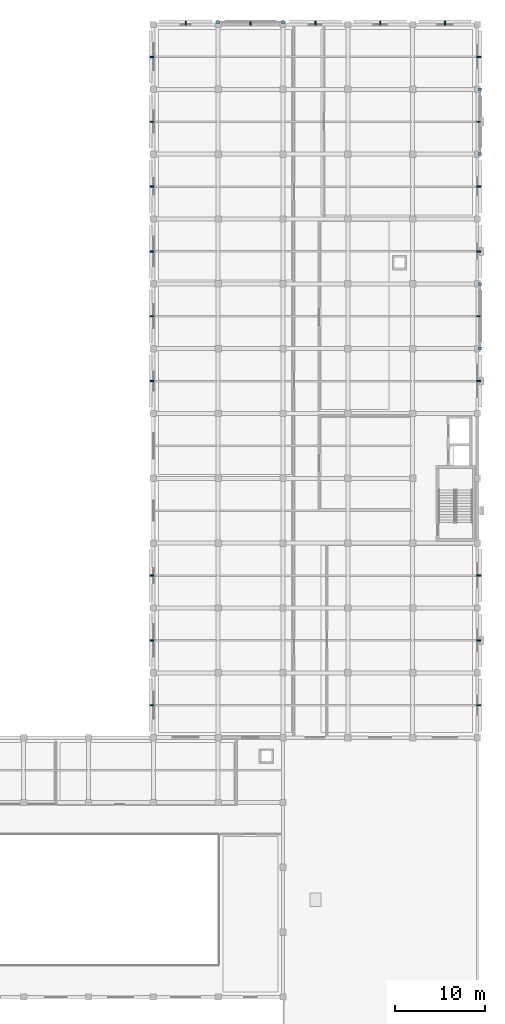
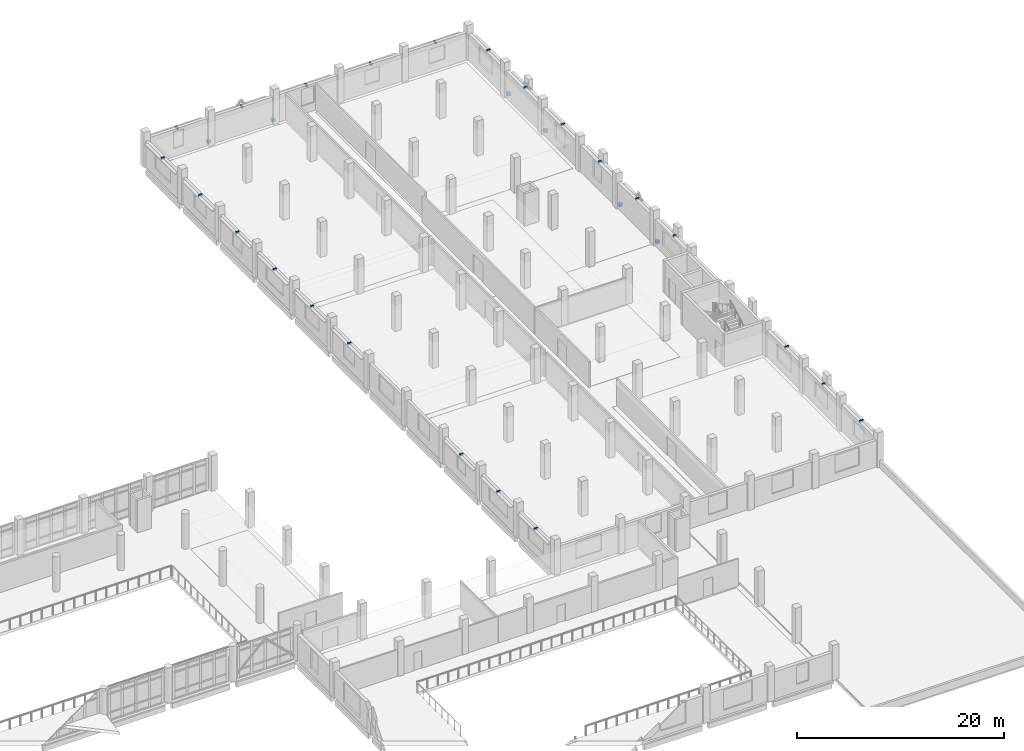
# One storey, part 46 of 57: 29 discrete accessories.
"""IFC4 building model written with IfcOpenShell, lengths in metres."""

import ifcopenshell
import ifcopenshell.guid

model = None  # the IFC model being written
_history = None  # IfcOwnerHistory: only IFC2X3 demands one
_inside = {}  # id of a spatial element -> (the spatial element, [elements in it])
_under = {}  # id of a project, library or spatial element -> (it, [spatial elements below it])
_declared = {}  # id of a project -> (the project, [libraries it declares])
_typed = {}  # id of a type object -> (the type object, [elements of that type])
_made_of = {}  # id of a material, layer set ... -> (it, [elements and type objects made of it])


def new_model(schema):
    """Start an empty IFC model of exactly this schema.

    Asked for "IFC4X3", IfcOpenShell would pick the latest addendum, in which some entities
    have other attributes; the version numbers below select the first issue.
    IFC2X3 requires an IfcOwnerHistory on every rooted entity: one is made here for all.
    """
    global model, _history
    if schema == "IFC4X3":
        model = ifcopenshell.file(schema_version=(4, 3, 0, 0))
    else:
        model = ifcopenshell.file(schema=schema)
    _inside.clear()
    _under.clear()
    _declared.clear()
    _typed.clear()
    _made_of.clear()
    _history = None
    if model.schema == "IFC2X3":
        org = make("IfcOrganization", Name="unknown")
        user = make(
            "IfcPersonAndOrganization",
            ThePerson=make("IfcPerson", FamilyName="unknown"),
            TheOrganization=org,
        )
        app = make(
            "IfcApplication",
            ApplicationDeveloper=org,
            Version="unknown",
            ApplicationFullName="unknown",
            ApplicationIdentifier="unknown",
        )
        _history = make(
            "IfcOwnerHistory",
            OwningUser=user,
            OwningApplication=app,
            ChangeAction="ADDED",
            CreationDate=0,
        )
    return model


def make(cls, **values):
    """One entity of the class cls with the attributes given. An attribute that is None is left unset."""
    return model.create_entity(
        cls, **{name: value for name, value in values.items() if value is not None}
    )


def rooted(cls, **values):
    """An entity with a GlobalId (a new one), such as an element, a storey or a relation."""
    return make(cls, GlobalId=ifcopenshell.guid.new(), OwnerHistory=_history, **values)


def si_unit(unit_type, name, prefix=None):
    """IfcSIUnit, for example si_unit("LENGTHUNIT", "METRE", prefix="MILLI")."""
    return make("IfcSIUnit", UnitType=unit_type, Prefix=prefix, Name=name)


def assignment(units):
    """IfcUnitAssignment: the units of a project."""
    return None if units is None else make("IfcUnitAssignment", Units=units)


def point(xyz):
    """IfcCartesianPoint."""
    return None if xyz is None else make("IfcCartesianPoint", Coordinates=xyz)


def direction(xyz):
    """IfcDirection."""
    return None if xyz is None else make("IfcDirection", DirectionRatios=xyz)


def frame(location, z_axis=None, x_axis=None):
    """IfcAxis2Placement3D, a coordinate frame: its origin and axes. An axis left out is left unset."""
    return make(
        "IfcAxis2Placement3D",
        Location=point(location),
        Axis=direction(z_axis),
        RefDirection=direction(x_axis),
    )


def frame_2d(location, x_axis=None):
    """IfcAxis2Placement2D, a coordinate frame in the plane: its origin and x axis."""
    return make(
        "IfcAxis2Placement2D", Location=point(location), RefDirection=direction(x_axis)
    )


def origin():
    """The frame at (0, 0, 0) with its axes left unset."""
    return frame((0.0, 0.0, 0.0))


def origin_2d():
    """The frame at (0, 0) in the plane with its x axis left unset."""
    return frame_2d((0.0, 0.0))


def place(relative_to, where):
    """IfcLocalPlacement: puts the frame where relative to a parent placement (None: the world)."""
    return make(
        "IfcLocalPlacement", PlacementRelTo=relative_to, RelativePlacement=where
    )


def context(
    kind, dimensions, precision=None, world=None, true_north=None, identifier=None
):
    """IfcGeometricRepresentationContext, for example the 3D "Model" context."""
    return make(
        "IfcGeometricRepresentationContext",
        ContextIdentifier=identifier,
        ContextType=kind,
        CoordinateSpaceDimension=dimensions,
        Precision=precision,
        WorldCoordinateSystem=world,
        TrueNorth=true_north,
    )


def subcontext(parent, identifier, kind, view, scale=None):
    """IfcGeometricRepresentationSubContext, for example "Body" below "Model"."""
    return make(
        "IfcGeometricRepresentationSubContext",
        ContextIdentifier=identifier,
        ContextType=kind,
        ParentContext=parent,
        TargetScale=scale,
        TargetView=view,
    )


def project(units=None, contexts=None):
    """IfcProject with its units and contexts."""
    return rooted(
        "IfcProject",
        Name="project",
        RepresentationContexts=contexts,
        UnitsInContext=assignment(units),
    )


def spatial(cls, under=None, at=None, **own):
    """A site, building, storey or space (cls), placed at a placement, below another one or the project."""
    s = rooted(cls, ObjectPlacement=at, **own)
    if under is not None:
        _under.setdefault(under.id(), (under, []))[1].append(s)
    return s


def profile(cls, at=None, kind="AREA", **sizes):
    """A parametric profile (cls). Its sizes go by their IFC names, for example OverallWidth=200.0."""
    return make(cls, ProfileType=kind, Position=at, **sizes)


def rectangle(**sizes):
    """IfcRectangleProfileDef."""
    return profile("IfcRectangleProfileDef", **sizes)


def extrude(swept, where, along, depth):
    """IfcExtrudedAreaSolid: the profile swept, set in the frame where, extruded along a direction by depth."""
    return make(
        "IfcExtrudedAreaSolid",
        SweptArea=swept,
        Position=where,
        ExtrudedDirection=direction(along),
        Depth=depth,
    )


def shape(context_of_items, identifier, shape_type, items):
    """IfcShapeRepresentation: the items that make up one representation, for example the "Body"."""
    return make(
        "IfcShapeRepresentation",
        ContextOfItems=context_of_items,
        RepresentationIdentifier=identifier,
        RepresentationType=shape_type,
        Items=items,
    )


def material(Name=None, Category=None):
    """IfcMaterial."""
    return make("IfcMaterial", Name=Name, Category=Category)


def made_of(thing, what):
    """Note that an element or type object is made of a material, layer set ...; save() writes the relation."""
    if what is not None:
        _made_of.setdefault(what.id(), (what, []))[1].append(thing)
    return thing


def type_object(cls, material=None, **own):
    """A type object (cls), such as IfcWallType, which elements share."""
    return made_of(rooted(cls, **own), material)


def element(
    cls,
    number,
    at=None,
    inside=None,
    cuts=None,
    type_object=None,
    material=None,
    context=None,
    identifier="Body",
    shape_type=None,
    held_by="IfcProductDefinitionShape",
    body=None,
    shapes=None,
    **own,
):
    """One element of the class cls, such as IfcWall. Its Tag is "e" and its number.

    at: its placement. inside: the storey or other place that contains it. cuts: it is an
    opening in that element (IfcRelVoidsElement). A single representation is given by context,
    identifier, shape_type and body (its items); several are given by shapes. held_by: the class
    of the entity that holds the representations. save() writes the other relations.
    """
    e = rooted(cls, Tag="e%d" % number, ObjectPlacement=at, **own)
    if body is not None:
        shapes = [shape(context, identifier, shape_type, body)]
    if shapes is not None:
        e.Representation = make(held_by, Representations=shapes)
    if inside is not None:
        _inside.setdefault(inside.id(), (inside, []))[1].append(e)
    if cuts is not None:
        rooted(
            "IfcRelVoidsElement", RelatingBuildingElement=cuts, RelatedOpeningElement=e
        )
    if type_object is not None:
        _typed.setdefault(type_object.id(), (type_object, []))[1].append(e)
    return made_of(e, material)


def aggregate(whole, parts):
    """IfcRelAggregates: a whole, such as a stair, and the parts it consists of."""
    return rooted("IfcRelAggregates", RelatingObject=whole, RelatedObjects=parts)


def save(model, path):
    """Write the relations noted so far, then the file.

    IfcRelAggregates (storeys below a building ...), IfcRelContainedInSpatialStructure (elements
    in a storey), IfcRelDefinesByType, IfcRelAssociatesMaterial and IfcRelDeclares: one each for
    every whole, place, type object, material and project.
    """
    for whole, parts in _under.values():
        aggregate(whole, parts)
    for where, things in _inside.values():
        rooted(
            "IfcRelContainedInSpatialStructure",
            RelatedElements=things,
            RelatingStructure=where,
        )
    for kind, things in _typed.values():
        rooted("IfcRelDefinesByType", RelatedObjects=things, RelatingType=kind)
    for what, things in _made_of.values():
        rooted("IfcRelAssociatesMaterial", RelatedObjects=things, RelatingMaterial=what)
    for by, libraries in _declared.values():
        rooted("IfcRelDeclares", RelatingContext=by, RelatedDefinitions=libraries)
    model.write(path)


model = new_model("IFC4")

# Units and contexts
model_context = context("Model", 3, precision=1e-05, world=origin(), true_north=direction((0.0, 1.0)))
body_context = subcontext(model_context, "Body", "Model", "MODEL_VIEW")
ifc_project = project(units=[si_unit("LENGTHUNIT", "METRE"), si_unit("AREAUNIT", "SQUARE_METRE"), si_unit("VOLUMEUNIT", "CUBIC_METRE"), si_unit("PLANEANGLEUNIT", "RADIAN"), si_unit("MASSUNIT", "GRAM", prefix="KILO")], contexts=[model_context])

# Site, building, storey
site_placement = place(None, origin())
site = spatial("IfcSite", under=ifc_project, at=site_placement, CompositionType="ELEMENT")
building_placement = place(site_placement, origin())
building = spatial("IfcBuilding", under=site, at=building_placement, Name="Valkovuoma Quantum and Materials Research Institute", CompositionType="ELEMENT")
storey_placement = place(building_placement, frame((0.0, 0.0, 4.800048828125)))
storey = spatial("IfcBuildingStorey", under=building, at=storey_placement, Name="L01", CompositionType="ELEMENT", Elevation=4.800048828125)

# Discrete accessories
ifc_material_1 = material(Name="Steel S355J2", Category="steel")
discrete_accessory_type_1 = type_object("IfcDiscreteAccessoryType", Name="Brk-BRK-01", PredefinedType="BRACKET", material=ifc_material_1)
for number, where, z_axis, x_axis, name in (
    (1, (165.739990234375, 39.60009765625, 2.93994140625), (0.0, 0.0, 1.0), (1.0, 0.0, 0.0), "L01 sunshade bracket 00613"),
    (2, (129.4599609375, 39.60009765625, 2.93994140625), (0.0, 0.0, 1.0), (1.0, 0.0, 0.0), "L01 sunshade bracket 00614"),
    (3, (165.739990234375, 46.800048828125, 2.93994140625), (0.0, 0.0, 1.0), (1.0, 0.0, 0.0), "L01 sunshade bracket 00615"),
    (4, (129.4599609375, 46.800048828125, 2.93994140625), (0.0, 0.0, 1.0), (1.0, 0.0, 0.0), "L01 sunshade bracket 00616"),
    (5, (165.739990234375, 54.0, 2.93994140625), (0.0, 0.0, 1.0), (1.0, 0.0, 0.0), "L01 sunshade bracket 00617"),
    (6, (129.4599609375, 54.0, 2.93994140625), (0.0, 0.0, 1.0), (1.0, 0.0, 0.0), "L01 sunshade bracket 00618"),
    (7, (165.739990234375, 75.60009765625, 2.93994140625), (0.0, 0.0, 1.0), (1.0, 0.0, 0.0), "L01 sunshade bracket 00619"),
    (8, (129.4599609375, 75.60009765625, 2.93994140625), (0.0, 0.0, 1.0), (1.0, 0.0, 0.0), "L01 sunshade bracket 00620"),
    (9, (165.739990234375, 82.800048828125, 2.93994140625), (0.0, 0.0, 1.0), (1.0, 0.0, 0.0), "L01 sunshade bracket 00621"),
    (10, (129.4599609375, 82.800048828125, 2.93994140625), (0.0, 0.0, 1.0), (1.0, 0.0, 0.0), "L01 sunshade bracket 00622"),
    (11, (165.739990234375, 90.0, 2.93994140625), (0.0, 0.0, 1.0), (1.0, 0.0, 0.0), "L01 sunshade bracket 00623"),
    (12, (129.4599609375, 90.0, 2.93994140625), (0.0, 0.0, 1.0), (1.0, 0.0, 0.0), "L01 sunshade bracket 00624"),
    (13, (165.739990234375, 97.199951171875, 2.93994140625), (0.0, 0.0, 1.0), (1.0, 0.0, 0.0), "L01 sunshade bracket 00625"),
    (14, (129.4599609375, 97.199951171875, 2.93994140625), (0.0, 0.0, 1.0), (1.0, 0.0, 0.0), "L01 sunshade bracket 00626"),
    (15, (165.739990234375, 104.39990234375, 2.93994140625), (0.0, 0.0, 1.0), (1.0, 0.0, 0.0), "L01 sunshade bracket 00627"),
    (16, (129.4599609375, 104.39990234375, 2.93994140625), (0.0, 0.0, 1.0), (1.0, 0.0, 0.0), "L01 sunshade bracket 00628"),
    (17, (165.739990234375, 111.60009765625, 2.93994140625), (0.0, 0.0, 1.0), (1.0, 0.0, 0.0), "L01 sunshade bracket 00629"),
    (18, (129.4599609375, 111.60009765625, 2.93994140625), (0.0, 0.0, 1.0), (1.0, 0.0, 0.0), "L01 sunshade bracket 00630"),
):
    element("IfcDiscreteAccessory", number, at=place(storey_placement, frame(where, z_axis=z_axis, x_axis=x_axis)), inside=storey, type_object=discrete_accessory_type_1, Name=name, PredefinedType="BRACKET", context=body_context, shape_type="SweptSolid", body=[
        extrude(rectangle(XDim=0.39990234375, YDim=0.159912109375, at=origin_2d()), origin(), (0.0, 0.0, 1.0), 0.219970703125),
    ])
for number, where, z_axis, x_axis, name in (
    (19, (133.199951171875, 115.340087890625, 2.93994140625), (0.0, 0.0, 1.0), (1.0, 0.0, 0.0), "L01 north sunshade bracket 00631"),
    (20, (140.39990234375, 115.340087890625, 2.93994140625), (0.0, 0.0, 1.0), (1.0, 0.0, 0.0), "L01 north sunshade bracket 00632"),
    (21, (147.60009765625, 115.340087890625, 2.93994140625), (0.0, 0.0, 1.0), (1.0, 0.0, 0.0), "L01 north sunshade bracket 00633"),
    (22, (154.800048828125, 115.340087890625, 2.93994140625), (0.0, 0.0, 1.0), (1.0, 0.0, 0.0), "L01 north sunshade bracket 00634"),
    (23, (162.0, 115.340087890625, 2.93994140625), (0.0, 0.0, 1.0), (1.0, 0.0, 0.0), "L01 north sunshade bracket 00635"),
):
    element("IfcDiscreteAccessory", number, at=place(storey_placement, frame(where, z_axis=z_axis, x_axis=x_axis)), inside=storey, type_object=discrete_accessory_type_1, Name=name, PredefinedType="BRACKET", context=body_context, shape_type="SweptSolid", body=[
        extrude(rectangle(XDim=0.159912109375, YDim=0.39990234375, at=origin_2d()), origin(), (0.0, 0.0, 1.0), 0.219970703125),
    ])
ifc_material_2 = material(Name="Steel S355J2", Category="steel")
discrete_accessory_type_2 = type_object("IfcDiscreteAccessoryType", Name="Conn-END-01", PredefinedType="BRACKET", material=ifc_material_2)
for number, where, z_axis, x_axis, name in (
    (24, (165.89990234375, 79.199951171875, -0.0703125), (0.0, 0.0, 1.0), (1.0, 0.0, 0.0), "L01 brace end connection assembly 0290"),
    (25, (165.89990234375, 86.39990234375, -0.0703125), (0.0, 0.0, 1.0), (1.0, 0.0, 0.0), "L01 brace end connection assembly 0291"),
    (26, (165.89990234375, 100.800048828125, -0.0703125), (0.0, 0.0, 1.0), (1.0, 0.0, 0.0), "L01 brace end connection assembly 0302"),
    (27, (165.89990234375, 108.0, -0.0703125), (0.0, 0.0, 1.0), (1.0, 0.0, 0.0), "L01 brace end connection assembly 0303"),
    (28, (136.800048828125, 115.5, -0.0703125), (0.0, 0.0, 1.0), (1.0, 0.0, 0.0), "L01 brace end connection assembly 0314"),
    (29, (144.0, 115.5, -0.0703125), (0.0, 0.0, 1.0), (1.0, 0.0, 0.0), "L01 brace end connection assembly 0315"),
):
    element("IfcDiscreteAccessory", number, at=place(storey_placement, frame(where, z_axis=z_axis, x_axis=x_axis)), inside=storey, type_object=discrete_accessory_type_2, Name=name, PredefinedType="BRACKET", context=body_context, shape_type="SweptSolid", body=[
        extrude(rectangle(XDim=0.340087890625, YDim=0.340087890625, at=origin_2d()), origin(), (0.0, 0.0, 1.0), 0.340087890625),
    ])

save(model, "model.ifc")
